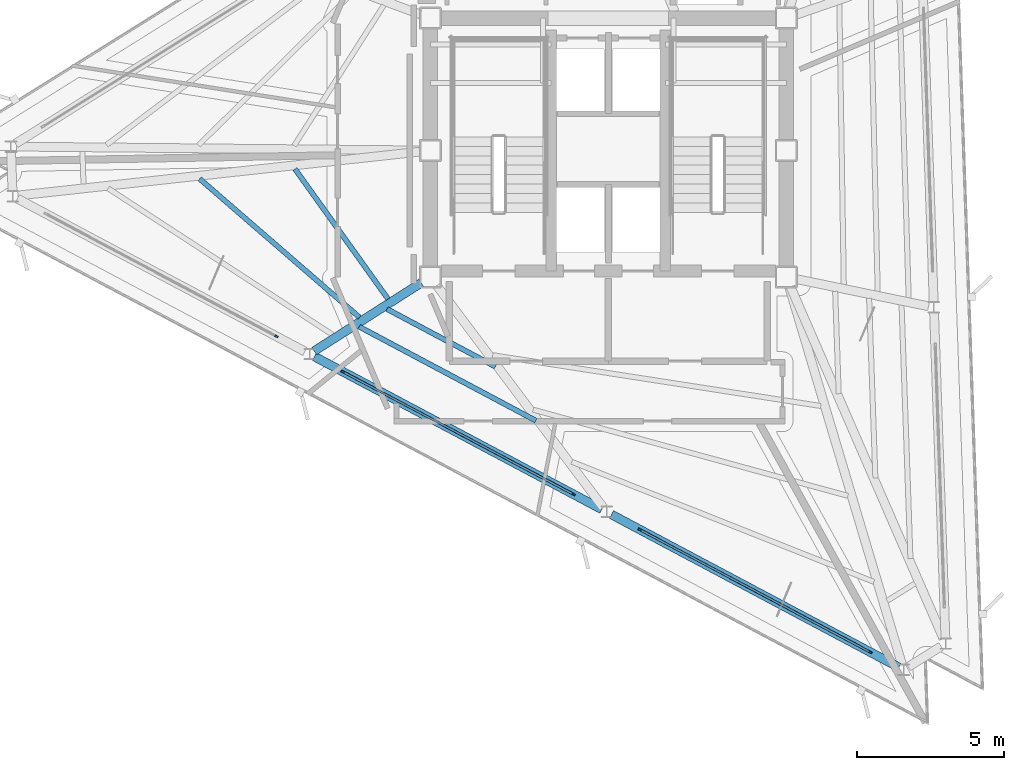
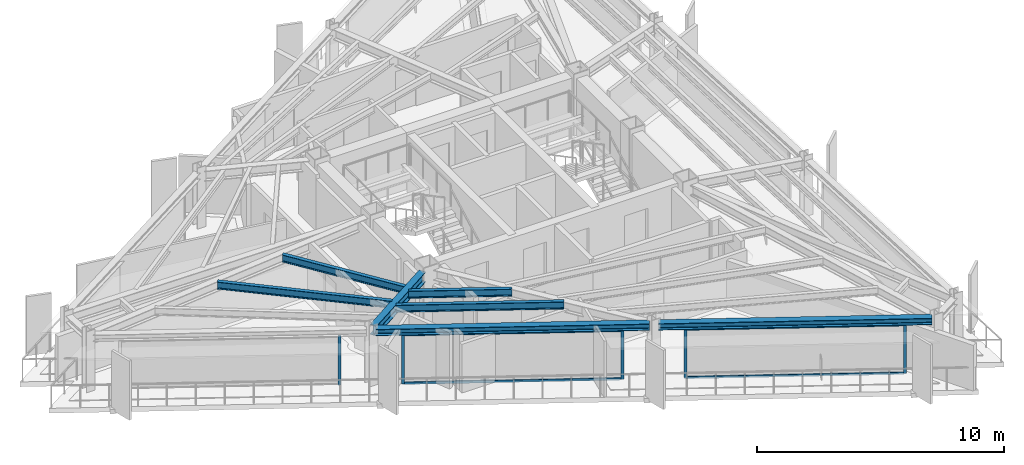
# One storey, part 2 of 13: 9 members, 7 beams, 3 elements without a shape of their own.
"""IFC4 building model written with IfcOpenShell, lengths in metres."""

from ifc_helpers import new_model, si_unit, direction, frame, origin, origin_2d, place, context, subcontext, project, spatial, rectangle, i_section, extrude, material, layer, layer_set, material_profile, profile_set, type_object, element, aggregate, save


model = new_model("IFC4")

# Units and contexts
model_context = context("Model", 3, precision=1e-05, world=origin(), true_north=direction((0.0, 1.0)))
body_context = subcontext(model_context, "Body", "Model", "MODEL_VIEW")
ifc_project = project(units=[si_unit("LENGTHUNIT", "METRE"), si_unit("AREAUNIT", "SQUARE_METRE"), si_unit("VOLUMEUNIT", "CUBIC_METRE"), si_unit("PLANEANGLEUNIT", "RADIAN"), si_unit("MASSUNIT", "GRAM", prefix="KILO")], contexts=[model_context])

# Site, building, storey
site_placement = place(None, origin())
site = spatial("IfcSite", under=ifc_project, at=site_placement, CompositionType="ELEMENT")
building_placement = place(site_placement, origin())
building = spatial("IfcBuilding", under=site, at=building_placement, Name="Rocaltana Carrier Exchange", CompositionType="ELEMENT")
storey_placement = place(building_placement, frame((0.0, 0.0, 196.639892578125)))
storey = spatial("IfcBuildingStorey", under=building, at=storey_placement, Name="L62", CompositionType="ELEMENT", Elevation=196.639892578125)

# Curtain wall, member
ifc_material_1 = material(Name="Aluminium 6063-T6", Category="aluminium")
ifc_layer = layer(ifc_material_1, 0.1201171875)
ifc_layer_set = layer_set([ifc_layer], Name="Aluminium 6063-T6")
curtain_wall_type = type_object("IfcCurtainWallType", Name="High-Altitude Thermal Curtain Wall CW-05", PredefinedType="NOTDEFINED", material=ifc_layer_set)
curtain_wall_1_placement = place(storey_placement, origin())
curtain_wall_1 = element("IfcCurtainWall", 1, at=curtain_wall_1_placement, inside=storey, type_object=curtain_wall_type, Name="L62 CW-05 Run CW-L62-F3S1", PredefinedType="NOTDEFINED")
ifc_material_2 = material(Name="Aluminium 6063-T6", Category="aluminium")
ifc_material_profile_1 = material_profile(ifc_material_2, rectangle(XDim=0.06005859375, YDim=0.1201171875, at=origin_2d()), Name="AL-60X120")
ifc_profile_set_1 = profile_set([ifc_material_profile_1], Name="Aluminium 6063-T6")
member_type_1 = type_object("IfcMemberType", Name="CW-05 Mullion AL-60X120", PredefinedType="MULLION", material=ifc_profile_set_1)
member_1_placement = place(storey_placement, frame((-11.282958984375, -6.31689453125, 0.0), z_axis=(0.0, 0.0, 1.0), x_axis=(0.469483388841, 0.882941304732, 0.0)))
member_1 = element("IfcMember", 2, at=member_1_placement, type_object=member_type_1, Name="CW-05 mullion 2", PredefinedType="MULLION", context=body_context, shape_type="SweptSolid", body=[
    extrude(rectangle(XDim=0.06005859375, YDim=0.1201171875, at=origin_2d()), origin(), (0.0, 0.0, 1.0), 2.447998046875),
])
aggregate(curtain_wall_1, [member_1])

# Curtain wall, members
curtain_wall_2_placement = place(storey_placement, origin())
curtain_wall_2 = element("IfcCurtainWall", 3, at=curtain_wall_2_placement, inside=storey, type_object=curtain_wall_type, Name="L62 CW-05 Run CW-L62-F3S2", PredefinedType="NOTDEFINED")
member_2_placement = place(storey_placement, frame((-9.0224609375, -7.5185546875, 0.0), z_axis=(0.0, 0.0, 1.0), x_axis=(0.469479302335, 0.882943477624, 0.0)))
member_2 = element("IfcMember", 4, at=member_2_placement, type_object=member_type_1, Name="CW-05 mullion 1", PredefinedType="MULLION", context=body_context, shape_type="SweptSolid", body=[
    extrude(rectangle(XDim=0.06005859375, YDim=0.1201171875, at=origin_2d()), origin(), (0.0, 0.0, 1.0), 2.447998046875),
])
member_3_placement = place(storey_placement, frame((-1.18798828125, -11.684326171875, 0.0), z_axis=(0.0, 0.0, 1.0), x_axis=(0.469479302335, 0.882943477624, 0.0)))
member_3 = element("IfcMember", 5, at=member_3_placement, type_object=member_type_1, Name="CW-05 mullion 2", PredefinedType="MULLION", context=body_context, shape_type="SweptSolid", body=[
    extrude(rectangle(XDim=0.06005859375, YDim=0.1201171875, at=origin_2d()), origin(), (0.0, 0.0, 1.0), 2.447998046875),
])

curtain_wall_3_placement = place(storey_placement, origin())
curtain_wall_3 = element("IfcCurtainWall", 6, at=curtain_wall_3_placement, inside=storey, type_object=curtain_wall_type, Name="L62 CW-05 Run CW-L62-F3S3", PredefinedType="NOTDEFINED")
member_4_placement = place(storey_placement, frame((1.072509765625, -12.88623046875, 0.0), z_axis=(0.0, 0.0, 1.0), x_axis=(0.469474662173, 0.882945944879, 0.0)))
member_4 = element("IfcMember", 7, at=member_4_placement, type_object=member_type_1, Name="CW-05 mullion 1", PredefinedType="MULLION", context=body_context, shape_type="SweptSolid", body=[
    extrude(rectangle(XDim=0.06005859375, YDim=0.1201171875, at=origin_2d()), origin(), (0.0, 0.0, 1.0), 2.447998046875),
])
member_5_placement = place(storey_placement, frame((8.9072265625, -17.052001953125, 0.0), z_axis=(0.0, 0.0, 1.0), x_axis=(0.469474662173, 0.882945944879, 0.0)))
member_5 = element("IfcMember", 8, at=member_5_placement, type_object=member_type_1, Name="CW-05 mullion 2", PredefinedType="MULLION", context=body_context, shape_type="SweptSolid", body=[
    extrude(rectangle(XDim=0.06005859375, YDim=0.1201171875, at=origin_2d()), origin(), (0.0, 0.0, 1.0), 2.447998046875),
])

# Member
ifc_material_3 = material(Name="Aluminium 6063-T6", Category="aluminium")
ifc_material_profile_2 = material_profile(ifc_material_3, rectangle(XDim=0.06005859375, YDim=0.1201171875, at=origin_2d()), Name="AL-60X120")
ifc_profile_set_2 = profile_set([ifc_material_profile_2], Name="Aluminium 6063-T6")
member_type_2 = type_object("IfcMemberType", Name="CW-05 Transom AL-60X120", PredefinedType="USERDEFINED", material=ifc_profile_set_2)
member_6_placement = place(storey_placement, frame((-8.99609375, -7.53271484375, 0.030029296875), z_axis=(0.882944221824, -0.469477902726, 0.0), x_axis=(0.469477902726, 0.882944221824, 0.0)))
member_6 = element("IfcMember", 9, at=member_6_placement, type_object=member_type_2, Name="CW-05 transom 1.1", ObjectType="TRANSOM", PredefinedType="USERDEFINED", context=body_context, shape_type="SweptSolid", body=[
    extrude(rectangle(XDim=0.06005859375, YDim=0.1201171875, at=origin_2d()), origin(), (0.0, 0.0, 1.0), 8.8134765625),
])

member_7_placement = place(storey_placement, frame((-8.99609375, -7.53271484375, 2.418212890625), z_axis=(0.882944221824, -0.469477902726, 0.0), x_axis=(0.469477902726, 0.882944221824, 0.0)))
member_7 = element("IfcMember", 10, at=member_7_placement, type_object=member_type_2, Name="CW-05 transom 1.2", ObjectType="TRANSOM", PredefinedType="USERDEFINED", context=body_context, shape_type="SweptSolid", body=[
    extrude(rectangle(XDim=0.06005859375, YDim=0.1201171875, at=origin_2d()), origin(), (0.0, 0.0, 1.0), 8.8134765625),
])

aggregate(curtain_wall_2, [member_2, member_3, member_6, member_7])

member_8_placement = place(storey_placement, frame((1.098876953125, -12.900146484375, 0.030029296875), z_axis=(0.882944221824, -0.469477902726, 0.0), x_axis=(0.469477902726, 0.882944221824, 0.0)))
member_8 = element("IfcMember", 11, at=member_8_placement, type_object=member_type_2, Name="CW-05 transom 1.1", ObjectType="TRANSOM", PredefinedType="USERDEFINED", context=body_context, shape_type="SweptSolid", body=[
    extrude(rectangle(XDim=0.06005859375, YDim=0.1201171875, at=origin_2d()), origin(), (0.0, 0.0, 1.0), 8.8134765625),
])

member_9_placement = place(storey_placement, frame((1.098876953125, -12.900146484375, 2.418212890625), z_axis=(0.882944221824, -0.469477902726, 0.0), x_axis=(0.469477902726, 0.882944221824, 0.0)))
member_9 = element("IfcMember", 12, at=member_9_placement, type_object=member_type_2, Name="CW-05 transom 1.2", ObjectType="TRANSOM", PredefinedType="USERDEFINED", context=body_context, shape_type="SweptSolid", body=[
    extrude(rectangle(XDim=0.06005859375, YDim=0.1201171875, at=origin_2d()), origin(), (0.0, 0.0, 1.0), 8.8134765625),
])

aggregate(curtain_wall_3, [member_4, member_5, member_8, member_9])

# Beams
ifc_material_4 = material(Name="Steel S355", Category="steel")
ifc_material_profile_3 = material_profile(ifc_material_4, i_section(OverallWidth=0.172119140625, OverallDepth=0.35791015625, WebThickness=0.0078125, FlangeThickness=0.01318359375, FilletRadius=0.011962890625, at=origin_2d()), Name="W14X38")
ifc_profile_set_3 = profile_set([ifc_material_profile_3], Name="Steel S355")
beam_type_1 = type_object("IfcBeamType", Name="Floor Joist W14X38", PredefinedType="JOIST", material=ifc_profile_set_3)
beam_1_placement = place(storey_placement, frame((-10.6513671875, -0.628662109375, 2.619140625), z_axis=(0.582177044628, -0.813062044809, 0.0), x_axis=(0.813062044809, 0.582177044628, 0.0)))
element("IfcBeam", 13, at=beam_1_placement, inside=storey, type_object=beam_type_1, Name="FJ-L62-09-1", PredefinedType="JOIST", context=body_context, shape_type="SweptSolid", body=[
    extrude(i_section(OverallWidth=0.172119140625, OverallDepth=0.35791015625, WebThickness=0.0078125, FlangeThickness=0.01318359375, FilletRadius=0.011962890625, at=origin_2d()), origin(), (0.0, 0.0, 1.0), 5.43408203125),
])
beam_2_placement = place(storey_placement, frame((-13.891845703125, -0.96240234375, 2.619140625), z_axis=(0.75579772027, -0.65480516647, 0.0), x_axis=(0.65480516647, 0.75579772027, 0.0)))
element("IfcBeam", 14, at=beam_2_placement, inside=storey, type_object=beam_type_1, Name="FJ-L62-09-2", PredefinedType="JOIST", context=body_context, shape_type="SweptSolid", body=[
    extrude(i_section(OverallWidth=0.172119140625, OverallDepth=0.35791015625, WebThickness=0.0078125, FlangeThickness=0.01318359375, FilletRadius=0.011962890625, at=origin_2d()), origin(), (0.0, 0.0, 1.0), 7.19189453125),
])
beam_3_placement = place(storey_placement, frame((-7.52294921875, -5.388427734375, 2.619140625), z_axis=(0.882943632654, -0.469479010773, 0.0), x_axis=(0.469479010773, 0.882943632654, 0.0)))
element("IfcBeam", 15, at=beam_3_placement, inside=storey, type_object=beam_type_1, Name="FJ-L62-10-1", PredefinedType="JOIST", context=body_context, shape_type="SweptSolid", body=[
    extrude(i_section(OverallWidth=0.172119140625, OverallDepth=0.35791015625, WebThickness=0.0078125, FlangeThickness=0.01318359375, FilletRadius=0.011962890625, at=origin_2d()), origin(), (0.0, 0.0, 1.0), 4.171142578125),
])
beam_4_placement = place(storey_placement, frame((-8.466552734375, -5.990478515625, 2.619140625), z_axis=(0.882938567036, -0.469488537496, 0.0), x_axis=(0.469488537496, 0.882938567036, 0.0)))
element("IfcBeam", 16, at=beam_4_placement, inside=storey, type_object=beam_type_1, Name="FJ-L62-10-2", PredefinedType="JOIST", context=body_context, shape_type="SweptSolid", body=[
    extrude(i_section(OverallWidth=0.172119140625, OverallDepth=0.35791015625, WebThickness=0.0078125, FlangeThickness=0.01318359375, FilletRadius=0.011962890625, at=origin_2d()), origin(), (0.0, 0.0, 1.0), 6.80078125),
])
ifc_material_5 = material(Name="Steel S355", Category="steel")
ifc_material_profile_4 = material_profile(ifc_material_5, i_section(OverallWidth=0.300048828125, OverallDepth=0.320068359375, WebThickness=0.011474609375, FlangeThickness=0.0205078125, FilletRadius=0.027099609375, at=origin_2d()), Name="HEB320")
ifc_profile_set_4 = profile_set([ifc_material_profile_4], Name="Steel S355")
beam_type_2 = type_object("IfcBeamType", Name="Spandrel Edge Beam HEB320", PredefinedType="SPANDREL", material=ifc_profile_set_4)
beam_5_placement = place(storey_placement, frame((-9.989013671875, -7.0048828125, 2.63818359375), z_axis=(0.882953364768, -0.469460707242, 0.0), x_axis=(0.469460707242, 0.882953364768, 0.0)))
element("IfcBeam", 17, at=beam_5_placement, inside=storey, type_object=beam_type_2, Name="SP-L62-10", PredefinedType="SPANDREL", context=body_context, shape_type="SweptSolid", body=[
    extrude(i_section(OverallWidth=0.300048828125, OverallDepth=0.320068359375, WebThickness=0.011474609375, FlangeThickness=0.0205078125, FilletRadius=0.027099609375, at=origin_2d()), origin(), (0.0, 0.0, 1.0), 11.0625),
])
beam_6_placement = place(storey_placement, frame((0.106201171875, -12.372314453125, 2.63818359375), z_axis=(0.882939352256, -0.469487060778, 0.0), x_axis=(0.469487060778, 0.882939352256, 0.0)))
element("IfcBeam", 18, at=beam_6_placement, inside=storey, type_object=beam_type_2, Name="SP-L62-11", PredefinedType="SPANDREL", context=body_context, shape_type="SweptSolid", body=[
    extrude(i_section(OverallWidth=0.300048828125, OverallDepth=0.320068359375, WebThickness=0.011474609375, FlangeThickness=0.0205078125, FilletRadius=0.027099609375, at=origin_2d()), origin(), (0.0, 0.0, 1.0), 11.062255859375),
])
ifc_material_6 = material(Name="Steel S355", Category="steel")
ifc_material_profile_5 = material_profile(ifc_material_6, i_section(OverallWidth=0.300048828125, OverallDepth=0.5, WebThickness=0.014404296875, FlangeThickness=0.028076171875, FilletRadius=0.027099609375, at=origin_2d()), Name="HEB500")
ifc_profile_set_5 = profile_set([ifc_material_profile_5], Name="Steel S355")
beam_type_3 = type_object("IfcBeamType", Name="Upper Radial Girder HEB500", PredefinedType="BEAM", material=ifc_profile_set_5)
beam_7_placement = place(storey_placement, frame((-6.359375, -4.497314453125, 2.548095703125), z_axis=(-0.843017756358, -0.53788573365, 0.0), x_axis=(0.53788573365, -0.843017756358, 0.0)))
element("IfcBeam", 19, at=beam_7_placement, inside=storey, type_object=beam_type_3, Name="RG-L62-10", PredefinedType="BEAM", context=body_context, shape_type="SweptSolid", body=[
    extrude(i_section(OverallWidth=0.300048828125, OverallDepth=0.5, WebThickness=0.014404296875, FlangeThickness=0.028076171875, FilletRadius=0.027099609375, at=origin_2d()), origin(), (0.0, 0.0, 1.0), 4.314208984375),
])

save(model, "model.ifc")
